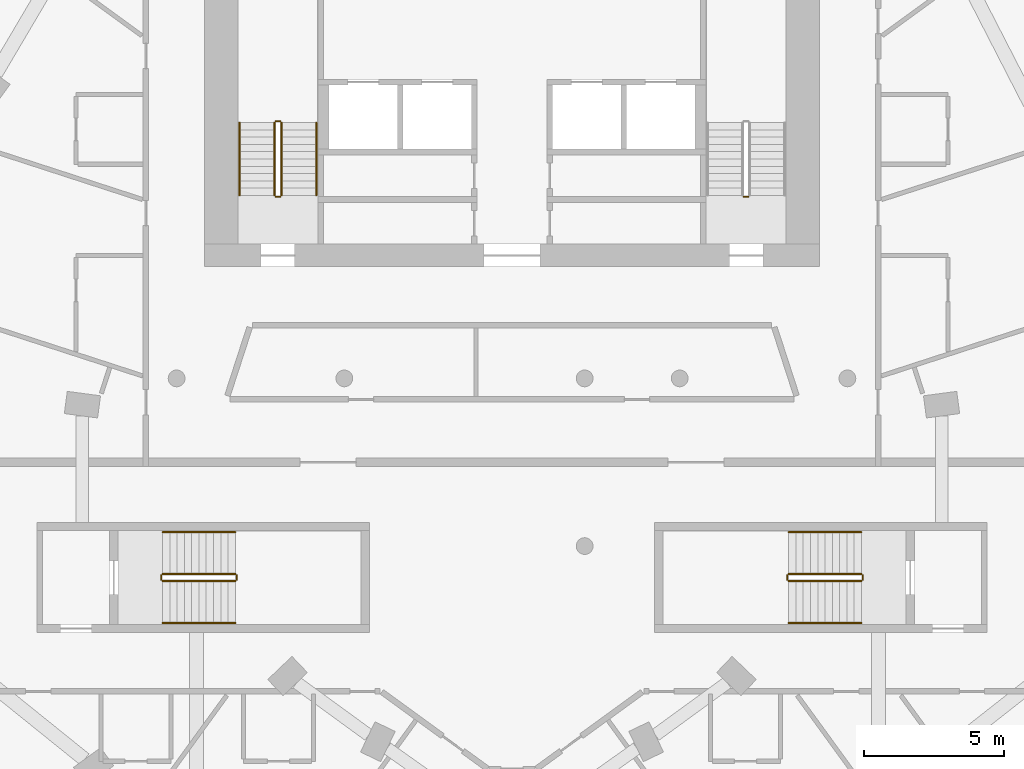
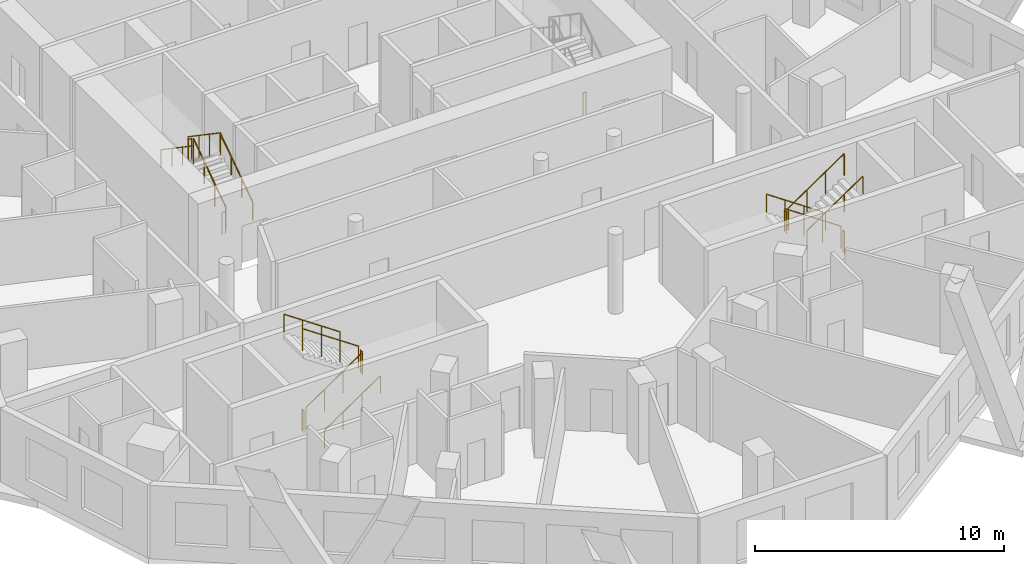
# One storey, part 9 of 10: 19 railings.
"""IFC4 building model written with IfcOpenShell, lengths in metres."""

from ifc_helpers import new_model, si_unit, direction, frame, origin, origin_2d, place, context, subcontext, project, spatial, circle, extrude, material, type_object, element, save


model = new_model("IFC4")

# Units and contexts
model_context = context("Model", 3, precision=1e-05, world=origin(), true_north=direction((0.0, 1.0)))
body_context = subcontext(model_context, "Body", "Model", "MODEL_VIEW")
ifc_project = project(units=[si_unit("LENGTHUNIT", "METRE"), si_unit("AREAUNIT", "SQUARE_METRE"), si_unit("VOLUMEUNIT", "CUBIC_METRE"), si_unit("PLANEANGLEUNIT", "RADIAN"), si_unit("MASSUNIT", "GRAM", prefix="KILO")], contexts=[model_context])

# Site, building, storey
site_placement = place(None, origin())
site = spatial("IfcSite", under=ifc_project, at=site_placement, CompositionType="ELEMENT")
building_placement = place(site_placement, origin())
building = spatial("IfcBuilding", under=site, at=building_placement, Name="White Candle Pilgrim Tower", CompositionType="ELEMENT")
storey_placement = place(building_placement, frame((0.0, 0.0, 208.199951171875)))
storey = spatial("IfcBuildingStorey", under=building, at=storey_placement, Name="L48", CompositionType="ELEMENT", Elevation=208.199951171875)

# Railings
ifc_material = material(Name="Stainless steel", Category="steel")
railing_type_1 = type_object("IfcRailingType", Name="Stair guard stainless steel 1100 mm", PredefinedType="GUARDRAIL", material=ifc_material)
railing_1_placement = place(storey_placement, frame((61.75, 73.550048828125, 0.17724609375)))
element("IfcRailing", 1, at=railing_1_placement, inside=storey, type_object=railing_type_1, Name="L48 ST1 stair guard 1", PredefinedType="GUARDRAIL", context=body_context, shape_type="SweptSolid", body=[
    extrude(circle(Radius=0.02392578125, at=origin_2d()), frame((0.0, 0.0, 1.076171875), z_axis=(0.0, 0.826215852431, 0.563353676824), x_axis=(-1.0, 0.0, 0.0)), (0.0, 0.0, 1.0), 3.146728515625),
    extrude(circle(Radius=0.02099609375, at=origin_2d()), origin(), (0.0, 0.0, 1.0), 1.052001953125),
    extrude(circle(Radius=0.02099609375, at=origin_2d()), frame((0.0, 0.86669921875, 0.5908203125)), (0.0, 0.0, 1.0), 1.052001953125),
    extrude(circle(Radius=0.02099609375, at=origin_2d()), frame((0.0, 1.733154296875, 1.181884765625)), (0.0, 0.0, 1.0), 1.052001953125),
    extrude(circle(Radius=0.02099609375, at=origin_2d()), frame((0.0, 2.599853515625, 1.772705078125)), (0.0, 0.0, 1.0), 1.052001953125),
])
railing_2_placement = place(storey_placement, frame((61.699951171875, 76.199951171875, 1.949951171875)))
element("IfcRailing", 2, at=railing_2_placement, inside=storey, type_object=railing_type_1, Name="L48 ST1 stair guard 2", PredefinedType="GUARDRAIL", context=body_context, shape_type="SweptSolid", body=[
    extrude(circle(Radius=0.02392578125, at=origin_2d()), frame((0.0, 0.0, 1.076171875), z_axis=(-1.0, 0.0, 0.0), x_axis=(0.0, -1.0, 0.0)), (0.0, 0.0, 1.0), 0.14990234375),
    extrude(circle(Radius=0.02099609375, at=origin_2d()), origin(), (0.0, 0.0, 1.0), 1.052001953125),
    extrude(circle(Radius=0.02099609375, at=origin_2d()), frame((-0.14990234375, 0.0, 0.0)), (0.0, 0.0, 1.0), 1.052001953125),
])
railing_3_placement = place(storey_placement, frame((61.5, 76.14990234375, 2.12744140625)))
element("IfcRailing", 3, at=railing_3_placement, inside=storey, type_object=railing_type_1, Name="L48 ST1 stair guard 3", PredefinedType="GUARDRAIL", context=body_context, shape_type="SweptSolid", body=[
    extrude(circle(Radius=0.02392578125, at=origin_2d()), frame((0.0, 0.0, 1.076171875), z_axis=(0.0, -0.826215852431, 0.563353676824), x_axis=(1.0, 0.0, 0.0)), (0.0, 0.0, 1.0), 3.146728515625),
    extrude(circle(Radius=0.02099609375, at=origin_2d()), origin(), (0.0, 0.0, 1.0), 1.052001953125),
    extrude(circle(Radius=0.02099609375, at=origin_2d()), frame((0.0, -0.86669921875, 0.5908203125)), (0.0, 0.0, 1.0), 1.052001953125),
    extrude(circle(Radius=0.02099609375, at=origin_2d()), frame((0.0, -1.733154296875, 1.181884765625)), (0.0, 0.0, 1.0), 1.052001953125),
    extrude(circle(Radius=0.02099609375, at=origin_2d()), frame((0.0, -2.599853515625, 1.772705078125)), (0.0, 0.0, 1.0), 1.052001953125),
])
for number, where, name in (
    (4, (61.699951171875, 73.5, 0.0), "L48 ST1 stair guard 4"),
    (5, (78.449951171875, 73.5, 0.0), "L48 ST2 stair guard 4"),
):
    element("IfcRailing", number, at=place(storey_placement, frame(where)), inside=storey, type_object=railing_type_1, Name=name, PredefinedType="GUARDRAIL", context=body_context, shape_type="SweptSolid", body=[
        extrude(circle(Radius=0.02392578125, at=origin_2d()), frame((0.0, 0.0, 1.076171875), z_axis=(-1.0, 0.0, 0.0), x_axis=(0.0, -1.0, 0.0)), (0.0, 0.0, 1.0), 0.14990234375),
        extrude(circle(Radius=0.02099609375, at=origin_2d()), origin(), (0.0, 0.0, 1.0), 1.052001953125),
        extrude(circle(Radius=0.02099609375, at=origin_2d()), frame((-0.14990234375, 0.0, 0.0)), (0.0, 0.0, 1.0), 1.052001953125),
    ])
railing_4_placement = place(storey_placement, frame((82.5, 60.0, 0.17724609375)))
element("IfcRailing", 6, at=railing_4_placement, inside=storey, type_object=railing_type_1, Name="L48 ST4 stair guard 1", PredefinedType="GUARDRAIL", context=body_context, shape_type="SweptSolid", body=[
    extrude(circle(Radius=0.02392578125, at=origin_2d()), frame((0.0, 0.0, 1.076171875), z_axis=(-0.826240473404, 0.0, 0.563317565952), x_axis=(0.0, -1.0, 0.0)), (0.0, 0.0, 1.0), 3.14697265625),
    extrude(circle(Radius=0.02099609375, at=origin_2d()), origin(), (0.0, 0.0, 1.0), 1.052001953125),
    extrude(circle(Radius=0.02099609375, at=origin_2d()), frame((-0.86669921875, 0.0, 0.5908203125)), (0.0, 0.0, 1.0), 1.052001953125),
    extrude(circle(Radius=0.02099609375, at=origin_2d()), frame((-1.7333984375, 0.0, 1.181884765625)), (0.0, 0.0, 1.0), 1.052001953125),
    extrude(circle(Radius=0.02099609375, at=origin_2d()), frame((-2.60009765625, 0.0, 1.772705078125)), (0.0, 0.0, 1.0), 1.052001953125),
])
railing_5_placement = place(storey_placement, frame((79.85009765625, 59.949951171875, 1.949951171875)))
element("IfcRailing", 7, at=railing_5_placement, inside=storey, type_object=railing_type_1, Name="L48 ST4 stair guard 2", PredefinedType="GUARDRAIL", context=body_context, shape_type="SweptSolid", body=[
    extrude(circle(Radius=0.02392578125, at=origin_2d()), frame((0.0, 0.0, 1.076171875), z_axis=(0.0, -1.0, 0.0), x_axis=(1.0, 0.0, 0.0)), (0.0, 0.0, 1.0), 0.14990234375),
    extrude(circle(Radius=0.02099609375, at=origin_2d()), origin(), (0.0, 0.0, 1.0), 1.052001953125),
    extrude(circle(Radius=0.02099609375, at=origin_2d()), frame((0.0, -0.14990234375, 0.0)), (0.0, 0.0, 1.0), 1.052001953125),
])
railing_6_placement = place(storey_placement, frame((79.89990234375, 59.75, 2.12744140625)))
element("IfcRailing", 8, at=railing_6_placement, inside=storey, type_object=railing_type_1, Name="L48 ST4 stair guard 3", PredefinedType="GUARDRAIL", context=body_context, shape_type="SweptSolid", body=[
    extrude(circle(Radius=0.02392578125, at=origin_2d()), frame((0.0, 0.0, 1.076171875), z_axis=(0.826240473404, 0.0, 0.563317565952), x_axis=(0.0, 1.0, 0.0)), (0.0, 0.0, 1.0), 3.14697265625),
    extrude(circle(Radius=0.02099609375, at=origin_2d()), origin(), (0.0, 0.0, 1.0), 1.052001953125),
    extrude(circle(Radius=0.02099609375, at=origin_2d()), frame((0.86669921875, 0.0, 0.5908203125)), (0.0, 0.0, 1.0), 1.052001953125),
    extrude(circle(Radius=0.02099609375, at=origin_2d()), frame((1.7333984375, 0.0, 1.181884765625)), (0.0, 0.0, 1.0), 1.052001953125),
    extrude(circle(Radius=0.02099609375, at=origin_2d()), frame((2.60009765625, 0.0, 1.772705078125)), (0.0, 0.0, 1.0), 1.052001953125),
])
railing_7_placement = place(storey_placement, frame((82.550048828125, 59.949951171875, 0.0)))
element("IfcRailing", 9, at=railing_7_placement, inside=storey, type_object=railing_type_1, Name="L48 ST4 stair guard 4", PredefinedType="GUARDRAIL", context=body_context, shape_type="SweptSolid", body=[
    extrude(circle(Radius=0.02392578125, at=origin_2d()), frame((0.0, 0.0, 1.076171875), z_axis=(0.0, -1.0, 0.0), x_axis=(1.0, 0.0, 0.0)), (0.0, 0.0, 1.0), 0.14990234375),
    extrude(circle(Radius=0.02099609375, at=origin_2d()), origin(), (0.0, 0.0, 1.0), 1.052001953125),
    extrude(circle(Radius=0.02099609375, at=origin_2d()), frame((0.0, -0.14990234375, 0.0)), (0.0, 0.0, 1.0), 1.052001953125),
])
railing_8_placement = place(storey_placement, frame((57.5, 59.75, 0.17724609375)))
element("IfcRailing", 10, at=railing_8_placement, inside=storey, type_object=railing_type_1, Name="L48 ST5 stair guard 1", PredefinedType="GUARDRAIL", context=body_context, shape_type="SweptSolid", body=[
    extrude(circle(Radius=0.02392578125, at=origin_2d()), frame((0.0, 0.0, 1.076171875), z_axis=(0.826240473404, 0.0, 0.563317565952), x_axis=(0.0, 1.0, 0.0)), (0.0, 0.0, 1.0), 3.14697265625),
    extrude(circle(Radius=0.02099609375, at=origin_2d()), origin(), (0.0, 0.0, 1.0), 1.052001953125),
    extrude(circle(Radius=0.02099609375, at=origin_2d()), frame((0.86669921875, 0.0, 0.5908203125)), (0.0, 0.0, 1.0), 1.052001953125),
    extrude(circle(Radius=0.02099609375, at=origin_2d()), frame((1.7333984375, 0.0, 1.181884765625)), (0.0, 0.0, 1.0), 1.052001953125),
    extrude(circle(Radius=0.02099609375, at=origin_2d()), frame((2.60009765625, 0.0, 1.772705078125)), (0.0, 0.0, 1.0), 1.052001953125),
])
railing_9_placement = place(storey_placement, frame((60.14990234375, 59.800048828125, 1.949951171875)))
element("IfcRailing", 11, at=railing_9_placement, inside=storey, type_object=railing_type_1, Name="L48 ST5 stair guard 2", PredefinedType="GUARDRAIL", context=body_context, shape_type="SweptSolid", body=[
    extrude(circle(Radius=0.02392578125, at=origin_2d()), frame((0.0, 0.0, 1.076171875), z_axis=(0.0, 1.0, 0.0), x_axis=(-1.0, 0.0, 0.0)), (0.0, 0.0, 1.0), 0.14990234375),
    extrude(circle(Radius=0.02099609375, at=origin_2d()), origin(), (0.0, 0.0, 1.0), 1.052001953125),
    extrude(circle(Radius=0.02099609375, at=origin_2d()), frame((0.0, 0.14990234375, 0.0)), (0.0, 0.0, 1.0), 1.052001953125),
])
railing_10_placement = place(storey_placement, frame((60.10009765625, 60.0, 2.12744140625)))
element("IfcRailing", 12, at=railing_10_placement, inside=storey, type_object=railing_type_1, Name="L48 ST5 stair guard 3", PredefinedType="GUARDRAIL", context=body_context, shape_type="SweptSolid", body=[
    extrude(circle(Radius=0.02392578125, at=origin_2d()), frame((0.0, 0.0, 1.076171875), z_axis=(-0.826240473404, 0.0, 0.563317565952), x_axis=(0.0, -1.0, 0.0)), (0.0, 0.0, 1.0), 3.14697265625),
    extrude(circle(Radius=0.02099609375, at=origin_2d()), origin(), (0.0, 0.0, 1.0), 1.052001953125),
    extrude(circle(Radius=0.02099609375, at=origin_2d()), frame((-0.86669921875, 0.0, 0.5908203125)), (0.0, 0.0, 1.0), 1.052001953125),
    extrude(circle(Radius=0.02099609375, at=origin_2d()), frame((-1.7333984375, 0.0, 1.181884765625)), (0.0, 0.0, 1.0), 1.052001953125),
    extrude(circle(Radius=0.02099609375, at=origin_2d()), frame((-2.60009765625, 0.0, 1.772705078125)), (0.0, 0.0, 1.0), 1.052001953125),
])
railing_11_placement = place(storey_placement, frame((57.449951171875, 59.800048828125, 0.0)))
element("IfcRailing", 13, at=railing_11_placement, inside=storey, type_object=railing_type_1, Name="L48 ST5 stair guard 4", PredefinedType="GUARDRAIL", context=body_context, shape_type="SweptSolid", body=[
    extrude(circle(Radius=0.02392578125, at=origin_2d()), frame((0.0, 0.0, 1.076171875), z_axis=(0.0, 1.0, 0.0), x_axis=(-1.0, 0.0, 0.0)), (0.0, 0.0, 1.0), 0.14990234375),
    extrude(circle(Radius=0.02099609375, at=origin_2d()), origin(), (0.0, 0.0, 1.0), 1.052001953125),
    extrude(circle(Radius=0.02099609375, at=origin_2d()), frame((0.0, 0.14990234375, 0.0)), (0.0, 0.0, 1.0), 1.052001953125),
])
railing_type_2 = type_object("IfcRailingType", Name="Stair handrail stainless steel", PredefinedType="HANDRAIL", material=ifc_material)
railing_12_placement = place(storey_placement, frame((63.0, 73.550048828125, 0.17724609375)))
element("IfcRailing", 14, at=railing_12_placement, inside=storey, type_object=railing_type_2, Name="L48 ST1 stair handrail 1", PredefinedType="HANDRAIL", context=body_context, shape_type="SweptSolid", body=[
    extrude(circle(Radius=0.02392578125, at=origin_2d()), frame((0.0, 0.0, 0.8759765625), z_axis=(0.0, 0.826215852431, 0.563353676824), x_axis=(-1.0, 0.0, 0.0)), (0.0, 0.0, 1.0), 3.146728515625),
    extrude(circle(Radius=0.02099609375, at=origin_2d()), origin(), (0.0, 0.0, 1.0), 0.851806640625),
    extrude(circle(Radius=0.02099609375, at=origin_2d()), frame((0.0, 0.86669921875, 0.5908203125)), (0.0, 0.0, 1.0), 0.851806640625),
    extrude(circle(Radius=0.02099609375, at=origin_2d()), frame((0.0, 1.733154296875, 1.181884765625)), (0.0, 0.0, 1.0), 0.851806640625),
    extrude(circle(Radius=0.02099609375, at=origin_2d()), frame((0.0, 2.599853515625, 1.772705078125)), (0.0, 0.0, 1.0), 0.851806640625),
])
railing_13_placement = place(storey_placement, frame((60.25, 76.14990234375, 2.12744140625)))
element("IfcRailing", 15, at=railing_13_placement, inside=storey, type_object=railing_type_2, Name="L48 ST1 stair handrail 2", PredefinedType="HANDRAIL", context=body_context, shape_type="SweptSolid", body=[
    extrude(circle(Radius=0.02392578125, at=origin_2d()), frame((0.0, 0.0, 0.8759765625), z_axis=(0.0, -0.826215852431, 0.563353676824), x_axis=(1.0, 0.0, 0.0)), (0.0, 0.0, 1.0), 3.146728515625),
    extrude(circle(Radius=0.02099609375, at=origin_2d()), origin(), (0.0, 0.0, 1.0), 0.851806640625),
    extrude(circle(Radius=0.02099609375, at=origin_2d()), frame((0.0, -0.86669921875, 0.5908203125)), (0.0, 0.0, 1.0), 0.851806640625),
    extrude(circle(Radius=0.02099609375, at=origin_2d()), frame((0.0, -1.733154296875, 1.181884765625)), (0.0, 0.0, 1.0), 0.851806640625),
    extrude(circle(Radius=0.02099609375, at=origin_2d()), frame((0.0, -2.599853515625, 1.772705078125)), (0.0, 0.0, 1.0), 0.851806640625),
])
railing_14_placement = place(storey_placement, frame((82.5, 61.5, 0.17724609375)))
element("IfcRailing", 16, at=railing_14_placement, inside=storey, type_object=railing_type_2, Name="L48 ST4 stair handrail 1", PredefinedType="HANDRAIL", context=body_context, shape_type="SweptSolid", body=[
    extrude(circle(Radius=0.02392578125, at=origin_2d()), frame((0.0, 0.0, 0.8759765625), z_axis=(-0.826240473404, 0.0, 0.563317565952), x_axis=(0.0, -1.0, 0.0)), (0.0, 0.0, 1.0), 3.14697265625),
    extrude(circle(Radius=0.02099609375, at=origin_2d()), origin(), (0.0, 0.0, 1.0), 0.851806640625),
    extrude(circle(Radius=0.02099609375, at=origin_2d()), frame((-0.86669921875, 0.0, 0.5908203125)), (0.0, 0.0, 1.0), 0.851806640625),
    extrude(circle(Radius=0.02099609375, at=origin_2d()), frame((-1.7333984375, 0.0, 1.181884765625)), (0.0, 0.0, 1.0), 0.851806640625),
    extrude(circle(Radius=0.02099609375, at=origin_2d()), frame((-2.60009765625, 0.0, 1.772705078125)), (0.0, 0.0, 1.0), 0.851806640625),
])
for number, where, name in (
    (17, (79.89990234375, 58.25, 2.12744140625), "L48 ST4 stair handrail 2"),
    (18, (57.5, 58.25, 0.17724609375), "L48 ST5 stair handrail 1"),
):
    element("IfcRailing", number, at=place(storey_placement, frame(where)), inside=storey, type_object=railing_type_2, Name=name, PredefinedType="HANDRAIL", context=body_context, shape_type="SweptSolid", body=[
        extrude(circle(Radius=0.02392578125, at=origin_2d()), frame((0.0, 0.0, 0.8759765625), z_axis=(0.826240473404, 0.0, 0.563317565952), x_axis=(0.0, 1.0, 0.0)), (0.0, 0.0, 1.0), 3.14697265625),
        extrude(circle(Radius=0.02099609375, at=origin_2d()), origin(), (0.0, 0.0, 1.0), 0.851806640625),
        extrude(circle(Radius=0.02099609375, at=origin_2d()), frame((0.86669921875, 0.0, 0.5908203125)), (0.0, 0.0, 1.0), 0.851806640625),
        extrude(circle(Radius=0.02099609375, at=origin_2d()), frame((1.7333984375, 0.0, 1.181884765625)), (0.0, 0.0, 1.0), 0.851806640625),
        extrude(circle(Radius=0.02099609375, at=origin_2d()), frame((2.60009765625, 0.0, 1.772705078125)), (0.0, 0.0, 1.0), 0.851806640625),
    ])
railing_15_placement = place(storey_placement, frame((60.10009765625, 61.5, 2.12744140625)))
element("IfcRailing", 19, at=railing_15_placement, inside=storey, type_object=railing_type_2, Name="L48 ST5 stair handrail 2", PredefinedType="HANDRAIL", context=body_context, shape_type="SweptSolid", body=[
    extrude(circle(Radius=0.02392578125, at=origin_2d()), frame((0.0, 0.0, 0.8759765625), z_axis=(-0.826240473404, 0.0, 0.563317565952), x_axis=(0.0, -1.0, 0.0)), (0.0, 0.0, 1.0), 3.14697265625),
    extrude(circle(Radius=0.02099609375, at=origin_2d()), origin(), (0.0, 0.0, 1.0), 0.851806640625),
    extrude(circle(Radius=0.02099609375, at=origin_2d()), frame((-0.86669921875, 0.0, 0.5908203125)), (0.0, 0.0, 1.0), 0.851806640625),
    extrude(circle(Radius=0.02099609375, at=origin_2d()), frame((-1.7333984375, 0.0, 1.181884765625)), (0.0, 0.0, 1.0), 0.851806640625),
    extrude(circle(Radius=0.02099609375, at=origin_2d()), frame((-2.60009765625, 0.0, 1.772705078125)), (0.0, 0.0, 1.0), 0.851806640625),
])

save(model, "model.ifc")
